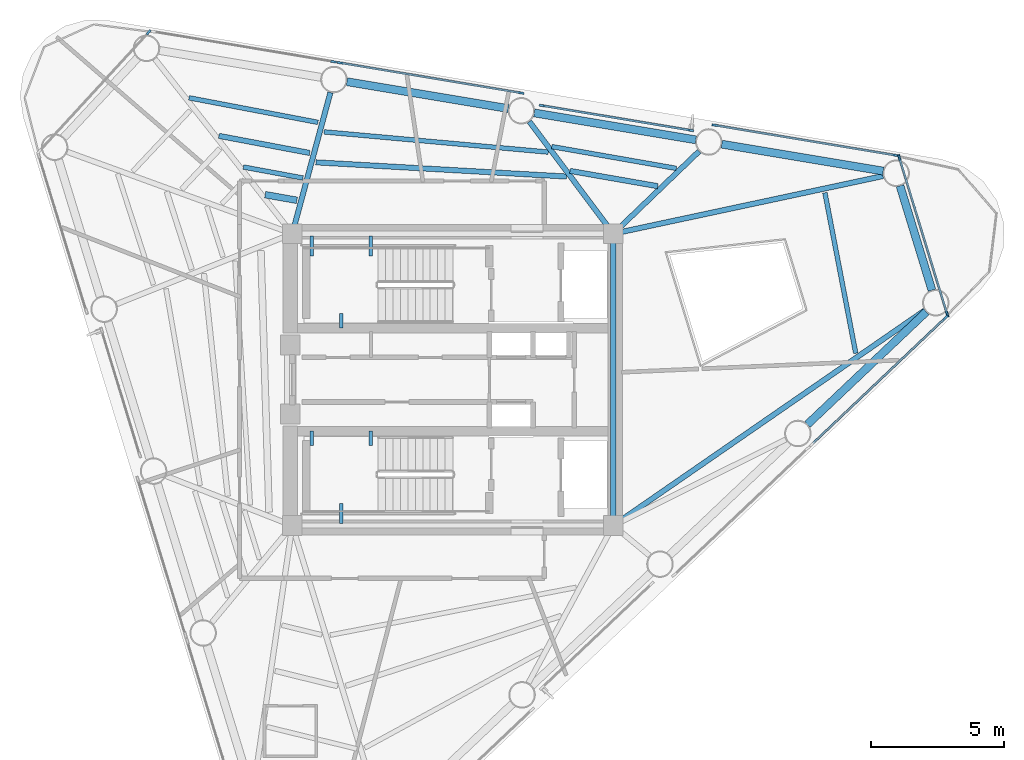
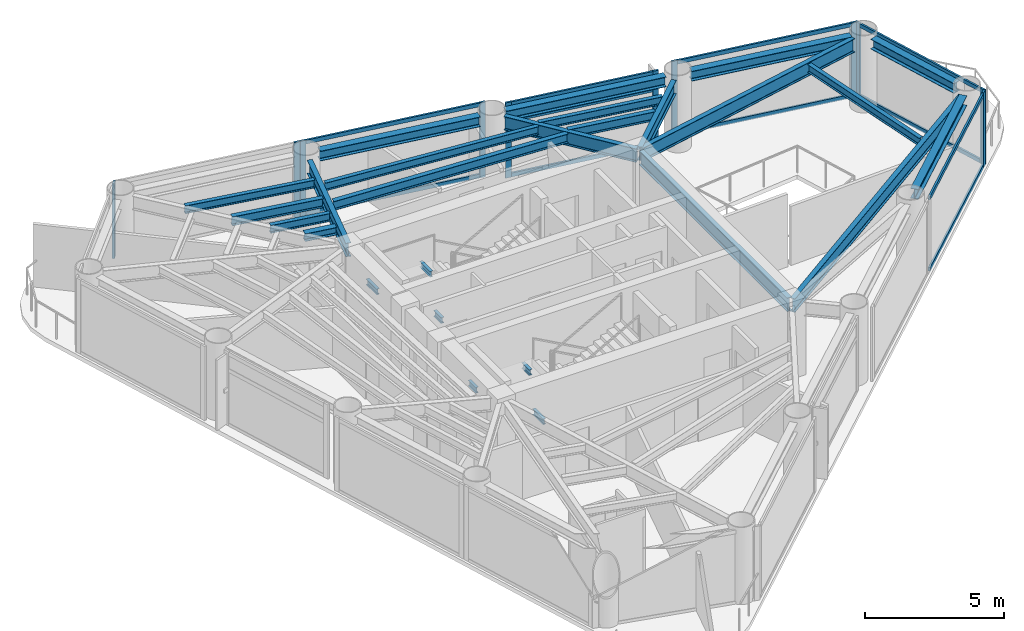
# One storey, part 3 of 8: 26 beams, 22 members, 7 elements without a shape of their own.
"""IFC4 building model written with IfcOpenShell, lengths in metres."""

from ifc_helpers import new_model, si_unit, direction, frame, origin, origin_2d, place, context, subcontext, project, spatial, rectangle, i_section, extrude, source, transform, mapped, material, layer, layer_set, material_profile, profile_set, type_object, element, aggregate, save


model = new_model("IFC4")

# Units and contexts
model_context = context("Model", 3, precision=1e-05, world=origin(), true_north=direction((0.0, 1.0)))
body_context = subcontext(model_context, "Body", "Model", "MODEL_VIEW")
ifc_project = project(units=[si_unit("LENGTHUNIT", "METRE"), si_unit("AREAUNIT", "SQUARE_METRE"), si_unit("VOLUMEUNIT", "CUBIC_METRE"), si_unit("PLANEANGLEUNIT", "RADIAN"), si_unit("MASSUNIT", "GRAM", prefix="KILO")], contexts=[model_context])

# Site, building, storey
site_placement = place(None, origin())
site = spatial("IfcSite", under=ifc_project, at=site_placement, CompositionType="ELEMENT")
building_placement = place(site_placement, origin())
building = spatial("IfcBuilding", under=site, at=building_placement, Name="Yunling Apex Tower", CompositionType="ELEMENT")
storey_placement = place(building_placement, frame((0.0, 0.0, 242.25)))
storey = spatial("IfcBuildingStorey", under=building, at=storey_placement, Name="L59", CompositionType="ELEMENT", Elevation=242.25)

# Beams
ifc_material_1 = material(Name="Steel Q355B", Category="steel")
ifc_material_profile_1 = material_profile(ifc_material_1, i_section(OverallWidth=0.125, OverallDepth=0.25, WebThickness=0.006103515625, FlangeThickness=0.009033203125, FilletRadius=0.011962890625, at=origin_2d()))
ifc_profile_set_1 = profile_set([ifc_material_profile_1], Name="Steel Q355B")
beam_type_1 = type_object("IfcBeamType", Name="BL-LNT-1", PredefinedType="LINTEL", material=ifc_profile_set_1)
shared_shape_1 = source(origin(), body_context, "Body", "SweptSolid", [
    extrude(i_section(OverallWidth=0.125, OverallDepth=0.25, WebThickness=0.006103515625, FlangeThickness=0.009033203125, FilletRadius=0.011962890625, at=origin_2d()), origin(), (0.0, 0.0, 1.0), 0.760009765625),
])
for number, where, z_axis, x_axis, name in (
    (1, (-5.320068359375, 5.419921875, 1.3798828125), (0.0, -1.0, 0.0), (1.0, 0.0, 0.0), "L59 ST-1 Landing Bearing Corbel 1-1"),
    (2, (-3.090087890625, 5.419921875, 1.3798828125), (0.0, -1.0, 0.0), (1.0, 0.0, 0.0), "L59 ST-1 Landing Bearing Corbel 1-2"),
    (3, (-4.205078125, -5.419921875, 1.3798828125), (0.0, 1.0, 0.0), (-1.0, 0.0, 0.0), "L59 ST-2 Landing Bearing Corbel 1-3"),
):
    element("IfcBeam", number, at=place(storey_placement, frame(where, z_axis=z_axis, x_axis=x_axis)), inside=storey, type_object=beam_type_1, Name=name, PredefinedType="LINTEL", context=body_context, shape_type="MappedRepresentation", body=[
        mapped(shared_shape_1, transform((0.0, 0.0, 0.0), scale=1.0)),
    ])
shared_shape_2 = source(origin(), body_context, "Body", "SweptSolid", [
    extrude(i_section(OverallWidth=0.125, OverallDepth=0.25, WebThickness=0.006103515625, FlangeThickness=0.009033203125, FilletRadius=0.011962890625, at=origin_2d()), origin(), (0.0, 0.0, 1.0), 0.550048828125),
])
for number, where, z_axis, x_axis, name in (
    (4, (-4.205078125, 1.93994140625, 1.3798828125), (0.0, 1.0, 0.0), (-1.0, 0.0, 0.0), "L59 ST-1 Landing Bearing Corbel 1-3"),
    (5, (-5.320068359375, -1.93994140625, 1.3798828125), (0.0, -1.0, 0.0), (1.0, 0.0, 0.0), "L59 ST-2 Landing Bearing Corbel 1-1"),
    (6, (-3.090087890625, -1.93994140625, 1.3798828125), (0.0, -1.0, 0.0), (1.0, 0.0, 0.0), "L59 ST-2 Landing Bearing Corbel 1-2"),
):
    element("IfcBeam", number, at=place(storey_placement, frame(where, z_axis=z_axis, x_axis=x_axis)), inside=storey, type_object=beam_type_1, Name=name, PredefinedType="LINTEL", context=body_context, shape_type="MappedRepresentation", body=[
        mapped(shared_shape_2, transform((0.0, 0.0, 0.0), scale=1.0)),
    ])
ifc_material_profile_2 = material_profile(ifc_material_1, i_section(OverallWidth=0.199951171875, OverallDepth=0.60009765625, WebThickness=0.010986328125, FlangeThickness=0.01708984375, FilletRadius=0.02197265625, at=origin_2d()))
ifc_profile_set_2 = profile_set([ifc_material_profile_2], Name="Steel Q355B")
beam_type_2 = type_object("IfcBeamType", Name="BG-PRI-5", PredefinedType="USERDEFINED", material=ifc_profile_set_2)
shared_shape_3 = source(origin(), body_context, "Body", "SweptSolid", [
    extrude(i_section(OverallWidth=0.199951171875, OverallDepth=0.60009765625, WebThickness=0.010986328125, FlangeThickness=0.01708984375, FilletRadius=0.02197265625, at=origin_2d()), origin(), (0.0, 0.0, 1.0), 10.7001953125),
])
beam_1_placement = place(storey_placement, frame((6.050048828125, -5.35009765625, 2.919921875), z_axis=(0.0, 1.0, 0.0), x_axis=(-1.0, 0.0, 0.0)))
element("IfcBeam", 7, at=beam_1_placement, inside=storey, type_object=beam_type_2, Name="L59 Core Ring Tie Beam 2", ObjectType="GIRDER", PredefinedType="USERDEFINED", context=body_context, shape_type="MappedRepresentation", body=[
    mapped(shared_shape_3, transform((0.0, 0.0, 0.0), scale=1.0)),
])
ifc_material_profile_3 = material_profile(ifc_material_1, i_section(OverallWidth=0.175048828125, OverallDepth=0.35009765625, WebThickness=0.007080078125, FlangeThickness=0.010986328125, FilletRadius=0.013916015625, at=origin_2d()))
ifc_profile_set_3 = profile_set([ifc_material_profile_3], Name="Steel Q355B")
beam_type_3 = type_object("IfcBeamType", Name="BJ-JST-1", PredefinedType="JOIST", material=ifc_profile_set_3)
shared_shape_4 = source(origin(), body_context, "Body", "SweptSolid", [
    extrude(i_section(OverallWidth=0.175048828125, OverallDepth=0.35009765625, WebThickness=0.007080078125, FlangeThickness=0.010986328125, FilletRadius=0.013916015625, at=origin_2d()), origin(), (0.0, 0.0, 1.0), 4.765869140625),
])
beam_2_placement = place(storey_placement, frame((8.42578125, 7.96142578125, 3.044921875), z_axis=(-0.985022420296, 0.17242630749, 0.0), x_axis=(-0.17242630749, -0.985022420296, 0.0)))
element("IfcBeam", 8, at=beam_2_placement, inside=storey, type_object=beam_type_3, Name="L59 Composite Floor Joist BJ1-7", PredefinedType="JOIST", context=body_context, shape_type="MappedRepresentation", body=[
    mapped(shared_shape_4, transform((0.0, 0.0, 0.0), scale=1.0)),
])
ifc_material_profile_4 = material_profile(ifc_material_1, i_section(OverallWidth=0.300048828125, OverallDepth=0.43994140625, WebThickness=0.010986328125, FlangeThickness=0.01806640625, FilletRadius=0.02197265625, at=origin_2d()))
ifc_profile_set_4 = profile_set([ifc_material_profile_4], Name="Steel Q355B")
beam_type_4 = type_object("IfcBeamType", Name="BP-SPN-3", PredefinedType="SPANDREL", material=ifc_profile_set_4)
shared_shape_5 = source(origin(), body_context, "Body", "SweptSolid", [
    extrude(i_section(OverallWidth=0.300048828125, OverallDepth=0.43994140625, WebThickness=0.010986328125, FlangeThickness=0.01806640625, FilletRadius=0.02197265625, at=origin_2d()), origin(), (0.0, 0.0, 1.0), 6.17333984375),
])
for number, where, z_axis, x_axis, name in (
    (9, (13.36572265625, -1.690185546875, 3.0), (0.725853952128, 0.687848849807, 0.0), (-0.687848849807, 0.725853952128, 0.0), "L59 Perimeter Spandrel Beam 4"),
    (10, (16.224853515625, 7.860595703125, 3.0), (-0.986400336233, 0.164360508275, 0.0), (-0.164360508275, -0.986400336233, 0.0), "L59 Perimeter Spandrel Beam 6"),
    (11, (9.160888671875, 9.03759765625, 3.0), (-0.986400336233, 0.164360508275, 0.0), (-0.164360508275, -0.986400336233, 0.0), "L59 Perimeter Spandrel Beam 7"),
    (12, (2.096923828125, 10.214599609375, 3.0), (-0.986393923832, 0.164398987305, 0.0), (-0.164398987305, -0.986393923832, 0.0), "L59 Perimeter Spandrel Beam 8"),
):
    element("IfcBeam", number, at=place(storey_placement, frame(where, z_axis=z_axis, x_axis=x_axis)), inside=storey, type_object=beam_type_4, Name=name, PredefinedType="SPANDREL", context=body_context, shape_type="MappedRepresentation", body=[
        mapped(shared_shape_5, transform((0.0, 0.0, 0.0), scale=1.0)),
    ])
shared_shape_6 = source(origin(), body_context, "Body", "SweptSolid", [
    extrude(i_section(OverallWidth=0.300048828125, OverallDepth=0.43994140625, WebThickness=0.010986328125, FlangeThickness=0.01806640625, FilletRadius=0.02197265625, at=origin_2d()), origin(), (0.0, 0.0, 1.0), 4.118408203125),
])
beam_3_placement = place(storey_placement, frame((18.060791015625, 3.368408203125, 3.0), z_axis=(-0.292369137572, 0.956305540816, 0.0), x_axis=(-0.956305540816, -0.292369137572, 0.0)))
element("IfcBeam", 13, at=beam_3_placement, inside=storey, type_object=beam_type_4, Name="L59 Perimeter Spandrel Beam 5", PredefinedType="SPANDREL", context=body_context, shape_type="MappedRepresentation", body=[
    mapped(shared_shape_6, transform((0.0, 0.0, 0.0), scale=1.0)),
])
shared_shape_7 = source(origin(), body_context, "Body", "SweptSolid", [
    extrude(i_section(OverallWidth=0.199951171875, OverallDepth=0.60009765625, WebThickness=0.010986328125, FlangeThickness=0.01708984375, FilletRadius=0.02197265625, at=origin_2d()), origin(), (0.0, 0.0, 1.0), 14.18505859375),
])
beam_4_placement = place(storey_placement, frame((17.787353515625, 2.607177734375, 2.919921875), z_axis=(-0.822805113414, -0.568323627294, 0.0), x_axis=(0.568323627294, -0.822805113414, 0.0)))
element("IfcBeam", 14, at=beam_4_placement, inside=storey, type_object=beam_type_2, Name="L59 Radial Primary Girder R05", ObjectType="GIRDER", PredefinedType="USERDEFINED", context=body_context, shape_type="MappedRepresentation", body=[
    mapped(shared_shape_7, transform((0.0, 0.0, 0.0), scale=1.0)),
])
shared_shape_8 = source(origin(), body_context, "Body", "SweptSolid", [
    extrude(i_section(OverallWidth=0.199951171875, OverallDepth=0.60009765625, WebThickness=0.010986328125, FlangeThickness=0.01708984375, FilletRadius=0.02197265625, at=origin_2d()), origin(), (0.0, 0.0, 1.0), 10.315185546875),
])
beam_5_placement = place(storey_placement, frame((16.21533203125, 7.673095703125, 2.919921875), z_axis=(-0.977902402009, -0.209061933755, 0.0), x_axis=(0.209061933755, -0.977902402009, 0.0)))
element("IfcBeam", 15, at=beam_5_placement, inside=storey, type_object=beam_type_2, Name="L59 Radial Primary Girder R06", ObjectType="GIRDER", PredefinedType="USERDEFINED", context=body_context, shape_type="MappedRepresentation", body=[
    mapped(shared_shape_8, transform((0.0, 0.0, 0.0), scale=1.0)),
])
shared_shape_9 = source(origin(), body_context, "Body", "SweptSolid", [
    extrude(i_section(OverallWidth=0.199951171875, OverallDepth=0.60009765625, WebThickness=0.010986328125, FlangeThickness=0.01708984375, FilletRadius=0.02197265625, at=origin_2d()), origin(), (0.0, 0.0, 1.0), 4.4013671875),
])
beam_6_placement = place(storey_placement, frame((9.28173828125, 8.6044921875, 2.919921875), z_axis=(-0.721164480273, -0.69276387925, 0.0), x_axis=(0.69276387925, -0.721164480273, 0.0)))
element("IfcBeam", 16, at=beam_6_placement, inside=storey, type_object=beam_type_2, Name="L59 Radial Primary Girder R07", ObjectType="GIRDER", PredefinedType="USERDEFINED", context=body_context, shape_type="MappedRepresentation", body=[
    mapped(shared_shape_9, transform((0.0, 0.0, 0.0), scale=1.0)),
])
shared_shape_10 = source(origin(), body_context, "Body", "SweptSolid", [
    extrude(i_section(OverallWidth=0.199951171875, OverallDepth=0.60009765625, WebThickness=0.010986328125, FlangeThickness=0.01708984375, FilletRadius=0.02197265625, at=origin_2d()), origin(), (0.0, 0.0, 1.0), 5.1982421875),
])
beam_7_placement = place(storey_placement, frame((2.888427734375, 9.726806640625, 2.919921875), z_axis=(0.598992593476, -0.800754564746, 0.0), x_axis=(0.800754564746, 0.598992593476, 0.0)))
element("IfcBeam", 17, at=beam_7_placement, inside=storey, type_object=beam_type_2, Name="L59 Radial Primary Girder R08", ObjectType="GIRDER", PredefinedType="USERDEFINED", context=body_context, shape_type="MappedRepresentation", body=[
    mapped(shared_shape_10, transform((0.0, 0.0, 0.0), scale=1.0)),
])
shared_shape_11 = source(origin(), body_context, "Body", "SweptSolid", [
    extrude(i_section(OverallWidth=0.199951171875, OverallDepth=0.60009765625, WebThickness=0.010986328125, FlangeThickness=0.01708984375, FilletRadius=0.02197265625, at=origin_2d()), origin(), (0.0, 0.0, 1.0), 5.43115234375),
])
beam_8_placement = place(storey_placement, frame((-4.6123046875, 10.8203125, 2.919921875), z_axis=(-0.26085354679, -0.965378385467, 0.0), x_axis=(0.965378385467, -0.26085354679, 0.0)))
element("IfcBeam", 18, at=beam_8_placement, inside=storey, type_object=beam_type_2, Name="L59 Radial Primary Girder R09", ObjectType="GIRDER", PredefinedType="USERDEFINED", context=body_context, shape_type="MappedRepresentation", body=[
    mapped(shared_shape_11, transform((0.0, 0.0, 0.0), scale=1.0)),
])
shared_shape_12 = source(origin(), body_context, "Body", "SweptSolid", [
    extrude(i_section(OverallWidth=0.175048828125, OverallDepth=0.35009765625, WebThickness=0.007080078125, FlangeThickness=0.010986328125, FilletRadius=0.013916015625, at=origin_2d()), origin(), (0.0, 0.0, 1.0), 6.16162109375),
])
beam_9_placement = place(storey_placement, frame((15.189453125, 0.99072265625, 3.044921875), z_axis=(-0.188765094227, 0.982022270217, 0.0), x_axis=(-0.982022270217, -0.188765094227, 0.0)))
element("IfcBeam", 19, at=beam_9_placement, inside=storey, type_object=beam_type_3, Name="L59 Composite Floor Joist BJ1-5", PredefinedType="JOIST", context=body_context, shape_type="MappedRepresentation", body=[
    mapped(shared_shape_12, transform((0.0, 0.0, 0.0), scale=1.0)),
])
ifc_material_profile_5 = material_profile(ifc_material_1, i_section(OverallWidth=0.199951171875, OverallDepth=0.39990234375, WebThickness=0.008056640625, FlangeThickness=0.012939453125, FilletRadius=0.01611328125, at=origin_2d()))
ifc_profile_set_5 = profile_set([ifc_material_profile_5], Name="Steel Q355B")
beam_type_5 = type_object("IfcBeamType", Name="BS-SEC-4", PredefinedType="BEAM", material=ifc_profile_set_5)
shared_shape_13 = source(origin(), body_context, "Body", "SweptSolid", [
    extrude(i_section(OverallWidth=0.199951171875, OverallDepth=0.39990234375, WebThickness=0.008056640625, FlangeThickness=0.012939453125, FilletRadius=0.01611328125, at=origin_2d()), origin(), (0.0, 0.0, 1.0), 3.361572265625),
])
beam_10_placement = place(storey_placement, frame((7.7275390625, 7.290283203125, 3.02001953125), z_axis=(-0.985137567958, 0.171767203496, 0.0), x_axis=(-0.171767203496, -0.985137567958, 0.0)))
element("IfcBeam", 20, at=beam_10_placement, inside=storey, type_object=beam_type_5, Name="L59 Composite Floor Beam BS-7", PredefinedType="BEAM", context=body_context, shape_type="MappedRepresentation", body=[
    mapped(shared_shape_13, transform((0.0, 0.0, 0.0), scale=1.0)),
])
shared_shape_14 = source(origin(), body_context, "Body", "SweptSolid", [
    extrude(i_section(OverallWidth=0.199951171875, OverallDepth=0.39990234375, WebThickness=0.008056640625, FlangeThickness=0.012939453125, FilletRadius=0.01611328125, at=origin_2d()), origin(), (0.0, 0.0, 1.0), 9.461669921875),
])
beam_11_placement = place(storey_placement, frame((4.28564453125, 7.654541015625, 3.02001953125), z_axis=(-0.998399180074, 0.05656038567, 0.0), x_axis=(-0.05656038567, -0.998399180074, 0.0)))
element("IfcBeam", 21, at=beam_11_placement, inside=storey, type_object=beam_type_5, Name="L59 Composite Floor Beam BS-8", PredefinedType="BEAM", context=body_context, shape_type="MappedRepresentation", body=[
    mapped(shared_shape_14, transform((0.0, 0.0, 0.0), scale=1.0)),
])
shared_shape_15 = source(origin(), body_context, "Body", "SweptSolid", [
    extrude(i_section(OverallWidth=0.175048828125, OverallDepth=0.35009765625, WebThickness=0.007080078125, FlangeThickness=0.010986328125, FilletRadius=0.013916015625, at=origin_2d()), origin(), (0.0, 0.0, 1.0), 8.485107421875),
])
beam_12_placement = place(storey_placement, frame((3.60107421875, 8.575439453125, 3.044921875), z_axis=(-0.995954531999, 0.089858612221, 0.0), x_axis=(-0.089858612221, -0.995954531999, 0.0)))
element("IfcBeam", 22, at=beam_12_placement, inside=storey, type_object=beam_type_3, Name="L59 Composite Floor Joist BJ1-8", PredefinedType="JOIST", context=body_context, shape_type="MappedRepresentation", body=[
    mapped(shared_shape_15, transform((0.0, 0.0, 0.0), scale=1.0)),
])
shared_shape_16 = source(origin(), body_context, "Body", "SweptSolid", [
    extrude(i_section(OverallWidth=0.199951171875, OverallDepth=0.39990234375, WebThickness=0.008056640625, FlangeThickness=0.012939453125, FilletRadius=0.01611328125, at=origin_2d()), origin(), (0.0, 0.0, 1.0), 3.482421875),
])
beam_13_placement = place(storey_placement, frame((-5.392822265625, 8.54296875, 3.02001953125), z_axis=(-0.98272425545, 0.185075762191, 0.0), x_axis=(-0.185075762191, -0.98272425545, 0.0)))
element("IfcBeam", 23, at=beam_13_placement, inside=storey, type_object=beam_type_5, Name="L59 Composite Floor Beam BS-9", PredefinedType="BEAM", context=body_context, shape_type="MappedRepresentation", body=[
    mapped(shared_shape_16, transform((0.0, 0.0, 0.0), scale=1.0)),
])
shared_shape_17 = source(origin(), body_context, "Body", "SweptSolid", [
    extrude(i_section(OverallWidth=0.175048828125, OverallDepth=0.35009765625, WebThickness=0.007080078125, FlangeThickness=0.010986328125, FilletRadius=0.013916015625, at=origin_2d()), origin(), (0.0, 0.0, 1.0), 4.949951171875),
])
beam_14_placement = place(storey_placement, frame((-5.081298828125, 9.69677734375, 3.044921875), z_axis=(-0.982345041362, 0.187078111256, 0.0), x_axis=(-0.187078111256, -0.982345041362, 0.0)))
element("IfcBeam", 24, at=beam_14_placement, inside=storey, type_object=beam_type_3, Name="L59 Composite Floor Joist BJ1-9", PredefinedType="JOIST", context=body_context, shape_type="MappedRepresentation", body=[
    mapped(shared_shape_17, transform((0.0, 0.0, 0.0), scale=1.0)),
])
shared_shape_18 = source(origin(), body_context, "Body", "SweptSolid", [
    extrude(i_section(OverallWidth=0.175048828125, OverallDepth=0.35009765625, WebThickness=0.007080078125, FlangeThickness=0.010986328125, FilletRadius=0.013916015625, at=origin_2d()), origin(), (0.0, 0.0, 1.0), 2.28173828125),
])
beam_15_placement = place(storey_placement, frame((-5.64794921875, 7.5986328125, 3.044921875), z_axis=(-0.983336596367, 0.181794219503, 0.0), x_axis=(-0.181794219503, -0.983336596367, 0.0)))
element("IfcBeam", 25, at=beam_15_placement, inside=storey, type_object=beam_type_3, Name="L59 Composite Floor Joist BJ3-9", PredefinedType="JOIST", context=body_context, shape_type="MappedRepresentation", body=[
    mapped(shared_shape_18, transform((0.0, 0.0, 0.0), scale=1.0)),
])
ifc_material_profile_6 = material_profile(ifc_material_1, i_section(OverallWidth=0.25, OverallDepth=0.340087890625, WebThickness=0.009033203125, FlangeThickness=0.013916015625, FilletRadius=0.01806640625, at=origin_2d()))
ifc_profile_set_6 = profile_set([ifc_material_profile_6], Name="Steel Q355B")
beam_type_6 = type_object("IfcBeamType", Name="BJ-JST-2", PredefinedType="JOIST", material=ifc_profile_set_6)
shared_shape_19 = source(origin(), body_context, "Body", "SweptSolid", [
    extrude(i_section(OverallWidth=0.25, OverallDepth=0.340087890625, WebThickness=0.009033203125, FlangeThickness=0.013916015625, FilletRadius=0.01806640625, at=origin_2d()), origin(), (0.0, 0.0, 1.0), 1.214111328125),
])
beam_16_placement = place(storey_placement, frame((-5.875, 6.758544921875, 3.050048828125), z_axis=(-0.98465170233, 0.174530871477, 0.0), x_axis=(-0.174530871477, -0.98465170233, 0.0)))
element("IfcBeam", 26, at=beam_16_placement, inside=storey, type_object=beam_type_6, Name="L59 Composite Floor Joist BJ2-9", PredefinedType="JOIST", context=body_context, shape_type="MappedRepresentation", body=[
    mapped(shared_shape_19, transform((0.0, 0.0, 0.0), scale=1.0)),
])

# Curtain wall, members
ifc_material_2 = material(Name="Bronze anodised aluminium", Category="aluminium")
ifc_layer = layer(ifc_material_2, 0.219970703125)
ifc_layer_set = layer_set([ifc_layer], Name="Bronze anodised aluminium")
curtain_wall_type = type_object("IfcCurtainWallType", Name="CW-SYS-4", PredefinedType="NOTDEFINED", material=ifc_layer_set)
curtain_wall_1_placement = place(storey_placement, origin())
curtain_wall_1 = element("IfcCurtainWall", 27, at=curtain_wall_1_placement, inside=storey, type_object=curtain_wall_type, Name="CW-L59-F1-B4", PredefinedType="NOTDEFINED")
ifc_material_profile_7 = material_profile(ifc_material_2, rectangle(XDim=0.080078125, YDim=0.169921875, at=origin_2d()))
ifc_profile_set_7 = profile_set([ifc_material_profile_7], Name="Bronze anodised aluminium")
member_type_1 = type_object("IfcMemberType", Name="CW-TRN-4", PredefinedType="USERDEFINED", material=ifc_profile_set_7)
shared_shape_20 = source(origin(), body_context, "Body", "SweptSolid", [
    extrude(rectangle(XDim=0.080078125, YDim=0.169921875, at=origin_2d()), origin(), (0.0, 0.0, 1.0), 6.849365234375),
])
member_1_placement = place(storey_placement, frame((13.574462890625, -2.40185546875, 0.0400390625), z_axis=(0.725849647065, 0.687853392705, 0.0), x_axis=(-0.687853392705, 0.725849647065, 0.0)))
member_1 = element("IfcMember", 28, at=member_1_placement, type_object=member_type_1, Name="CW-SYS-4 transom 1.1", ObjectType="TRANSOM", PredefinedType="USERDEFINED", context=body_context, shape_type="MappedRepresentation", body=[
    mapped(shared_shape_20, transform((0.0, 0.0, 0.0), scale=1.0)),
])
member_2_placement = place(storey_placement, frame((13.574462890625, -2.40185546875, 3.179931640625), z_axis=(0.725849647065, 0.687853392705, 0.0), x_axis=(-0.687853392705, 0.725849647065, 0.0)))
member_2 = element("IfcMember", 29, at=member_2_placement, type_object=member_type_1, Name="CW-SYS-4 transom 1.2", ObjectType="TRANSOM", PredefinedType="USERDEFINED", context=body_context, shape_type="MappedRepresentation", body=[
    mapped(shared_shape_20, transform((0.0, 0.0, 0.0), scale=1.0)),
])

curtain_wall_2_placement = place(storey_placement, origin())
curtain_wall_2 = element("IfcCurtainWall", 30, at=curtain_wall_2_placement, inside=storey, type_object=curtain_wall_type, Name="CW-L59-F2-B1", PredefinedType="NOTDEFINED")
member_3_placement = place(storey_placement, frame((16.666748046875, 8.456298828125, 0.0400390625), z_axis=(-0.986400666628, 0.164358525415, 0.0), x_axis=(-0.164358525415, -0.986400666628, 0.0)))
member_3 = element("IfcMember", 31, at=member_3_placement, type_object=member_type_1, Name="CW-SYS-4 transom 1.1", ObjectType="TRANSOM", PredefinedType="USERDEFINED", context=body_context, shape_type="MappedRepresentation", body=[
    mapped(shared_shape_20, transform((0.0, 0.0, 0.0), scale=1.0)),
])
member_4_placement = place(storey_placement, frame((16.666748046875, 8.456298828125, 3.179931640625), z_axis=(-0.986400666628, 0.164358525415, 0.0), x_axis=(-0.164358525415, -0.986400666628, 0.0)))
member_4 = element("IfcMember", 32, at=member_4_placement, type_object=member_type_1, Name="CW-SYS-4 transom 1.2", ObjectType="TRANSOM", PredefinedType="USERDEFINED", context=body_context, shape_type="MappedRepresentation", body=[
    mapped(shared_shape_20, transform((0.0, 0.0, 0.0), scale=1.0)),
])

curtain_wall_3_placement = place(storey_placement, origin())
curtain_wall_3 = element("IfcCurtainWall", 33, at=curtain_wall_3_placement, inside=storey, type_object=curtain_wall_type, Name="CW-L59-CRN1", PredefinedType="NOTDEFINED")
shared_shape_21 = source(origin(), body_context, "Body", "SweptSolid", [
    extrude(rectangle(XDim=0.080078125, YDim=0.169921875, at=origin_2d()), origin(), (0.0, 0.0, 1.0), 6.100830078125),
])
member_5_placement = place(storey_placement, frame((18.623291015625, 2.50390625, 0.0400390625), z_axis=(-0.292370017789, 0.956305271709, 0.0), x_axis=(-0.956305271709, -0.292370017789, 0.0)))
member_5 = element("IfcMember", 34, at=member_5_placement, type_object=member_type_1, Name="CW-SYS-4 transom 1.1", ObjectType="TRANSOM", PredefinedType="USERDEFINED", context=body_context, shape_type="MappedRepresentation", body=[
    mapped(shared_shape_21, transform((0.0, 0.0, 0.0), scale=1.0)),
])
member_6_placement = place(storey_placement, frame((18.623291015625, 2.50390625, 3.179931640625), z_axis=(-0.292370017789, 0.956305271709, 0.0), x_axis=(-0.956305271709, -0.292370017789, 0.0)))
member_6 = element("IfcMember", 35, at=member_6_placement, type_object=member_type_1, Name="CW-SYS-4 transom 1.2", ObjectType="TRANSOM", PredefinedType="USERDEFINED", context=body_context, shape_type="MappedRepresentation", body=[
    mapped(shared_shape_21, transform((0.0, 0.0, 0.0), scale=1.0)),
])

curtain_wall_4_placement = place(storey_placement, origin())
curtain_wall_4 = element("IfcCurtainWall", 36, at=curtain_wall_4_placement, inside=storey, type_object=curtain_wall_type, Name="CW-L59-F2-B2", PredefinedType="NOTDEFINED")
shared_shape_22 = source(origin(), body_context, "Body", "SweptSolid", [
    extrude(rectangle(XDim=0.080078125, YDim=0.169921875, at=origin_2d()), origin(), (0.0, 0.0, 1.0), 5.609375),
])
member_7_placement = place(storey_placement, frame((8.935302734375, 9.399658203125, 0.0400390625), z_axis=(-0.986395100144, 0.164391929279, 0.0), x_axis=(-0.164391929279, -0.986395100144, 0.0)))
member_7 = element("IfcMember", 37, at=member_7_placement, type_object=member_type_1, Name="CW-SYS-4 transom 1.1", ObjectType="TRANSOM", PredefinedType="USERDEFINED", context=body_context, shape_type="MappedRepresentation", body=[
    mapped(shared_shape_22, transform((0.0, 0.0, 0.0), scale=1.0)),
])
member_8_placement = place(storey_placement, frame((8.935302734375, 9.399658203125, 2.447265625), z_axis=(-0.986395100144, 0.164391929279, 0.0), x_axis=(-0.164391929279, -0.986395100144, 0.0)))
member_8 = element("IfcMember", 38, at=member_8_placement, type_object=member_type_1, Name="CW-SYS-4 transom 1.2", ObjectType="TRANSOM", PredefinedType="USERDEFINED", context=body_context, shape_type="MappedRepresentation", body=[
    mapped(shared_shape_22, transform((0.0, 0.0, 0.0), scale=1.0)),
])
member_9_placement = place(storey_placement, frame((8.935302734375, 9.399658203125, 3.179931640625), z_axis=(-0.986395100144, 0.164391929279, 0.0), x_axis=(-0.164391929279, -0.986395100144, 0.0)))
member_9 = element("IfcMember", 39, at=member_9_placement, type_object=member_type_1, Name="CW-SYS-4 transom 1.3", ObjectType="TRANSOM", PredefinedType="USERDEFINED", context=body_context, shape_type="MappedRepresentation", body=[
    mapped(shared_shape_22, transform((0.0, 0.0, 0.0), scale=1.0)),
])

curtain_wall_5_placement = place(storey_placement, origin())
curtain_wall_5 = element("IfcCurtainWall", 40, at=curtain_wall_5_placement, inside=storey, type_object=curtain_wall_type, Name="CW-L59-F2-B3", PredefinedType="NOTDEFINED")
shared_shape_23 = source(origin(), body_context, "Body", "SweptSolid", [
    extrude(rectangle(XDim=0.080078125, YDim=0.169921875, at=origin_2d()), origin(), (0.0, 0.0, 1.0), 6.849609375),
])
member_10_placement = place(storey_placement, frame((2.538818359375, 10.810302734375, 0.0400390625), z_axis=(-0.986401629478, 0.164352746749, 0.0), x_axis=(-0.164352746749, -0.986401629478, 0.0)))
member_10 = element("IfcMember", 41, at=member_10_placement, type_object=member_type_1, Name="CW-SYS-4 transom 1.1", ObjectType="TRANSOM", PredefinedType="USERDEFINED", context=body_context, shape_type="MappedRepresentation", body=[
    mapped(shared_shape_23, transform((0.0, 0.0, 0.0), scale=1.0)),
])
member_11_placement = place(storey_placement, frame((2.538818359375, 10.810302734375, 3.179931640625), z_axis=(-0.986401629478, 0.164352746749, 0.0), x_axis=(-0.164352746749, -0.986401629478, 0.0)))
member_11 = element("IfcMember", 42, at=member_11_placement, type_object=member_type_1, Name="CW-SYS-4 transom 1.2", ObjectType="TRANSOM", PredefinedType="USERDEFINED", context=body_context, shape_type="MappedRepresentation", body=[
    mapped(shared_shape_23, transform((0.0, 0.0, 0.0), scale=1.0)),
])

# Member
ifc_material_profile_8 = material_profile(ifc_material_2, rectangle(XDim=0.080078125, YDim=0.219970703125, at=origin_2d()))
ifc_profile_set_8 = profile_set([ifc_material_profile_8], Name="Bronze anodised aluminium")
member_type_2 = type_object("IfcMemberType", Name="CW-MUL-4", PredefinedType="MULLION", material=ifc_profile_set_8)
shared_shape_24 = source(origin(), body_context, "Body", "SweptSolid", [
    extrude(rectangle(XDim=0.080078125, YDim=0.219970703125, at=origin_2d()), origin(), (0.0, 0.0, 1.0), 3.320068359375),
])
member_12_placement = place(storey_placement, frame((18.572265625, 2.334228515625, -0.050048828125), z_axis=(0.0, 0.0, 1.0), x_axis=(-0.687848040467, 0.72585471909, 0.0)))
member_12 = element("IfcMember", 43, at=member_12_placement, type_object=member_type_2, Name="CW-SYS-4 mullion 2", PredefinedType="MULLION", context=body_context, shape_type="MappedRepresentation", body=[
    mapped(shared_shape_24, transform((0.0, 0.0, 0.0), scale=1.0)),
])

aggregate(curtain_wall_1, [member_12, member_1, member_2])

member_13_placement = place(storey_placement, frame((18.6337890625, 2.469482421875, -0.050048828125), z_axis=(0.0, 0.0, 1.0), x_axis=(-0.956305498685, -0.292369275379, 0.0)))
member_13 = element("IfcMember", 44, at=member_13_placement, type_object=member_type_2, Name="CW-SYS-4 mullion 1", PredefinedType="MULLION", context=body_context, shape_type="MappedRepresentation", body=[
    mapped(shared_shape_24, transform((0.0, 0.0, 0.0), scale=1.0)),
])

member_14_placement = place(storey_placement, frame((16.8291015625, 8.37255859375, -0.050048828125), z_axis=(0.0, 0.0, 1.0), x_axis=(-0.956305498685, -0.292369275379, 0.0)))
member_14 = element("IfcMember", 45, at=member_14_placement, type_object=member_type_2, Name="CW-SYS-4 mullion 2", PredefinedType="MULLION", context=body_context, shape_type="MappedRepresentation", body=[
    mapped(shared_shape_24, transform((0.0, 0.0, 0.0), scale=1.0)),
])

aggregate(curtain_wall_3, [member_13, member_14, member_5, member_6])

member_15_placement = place(storey_placement, frame((16.702392578125, 8.4501953125, -0.050048828125), z_axis=(0.0, 0.0, 1.0), x_axis=(-0.164352664392, -0.9864016432, 0.0)))
member_15 = element("IfcMember", 46, at=member_15_placement, type_object=member_type_2, Name="CW-SYS-4 mullion 1", PredefinedType="MULLION", context=body_context, shape_type="MappedRepresentation", body=[
    mapped(shared_shape_24, transform((0.0, 0.0, 0.0), scale=1.0)),
])

member_16_placement = place(storey_placement, frame((9.875, 9.587890625, -0.050048828125), z_axis=(0.0, 0.0, 1.0), x_axis=(-0.164352664392, -0.9864016432, 0.0)))
member_16 = element("IfcMember", 47, at=member_16_placement, type_object=member_type_2, Name="CW-SYS-4 mullion 2", PredefinedType="MULLION", context=body_context, shape_type="MappedRepresentation", body=[
    mapped(shared_shape_24, transform((0.0, 0.0, 0.0), scale=1.0)),
])

aggregate(curtain_wall_2, [member_15, member_16, member_3, member_4])

member_17_placement = place(storey_placement, frame((8.970947265625, 9.393798828125, -0.050048828125), z_axis=(0.0, 0.0, 1.0), x_axis=(-0.164370840747, -0.986398614513, 0.0)))
member_17 = element("IfcMember", 48, at=member_17_placement, type_object=member_type_2, Name="CW-SYS-4 mullion 1", PredefinedType="MULLION", context=body_context, shape_type="MappedRepresentation", body=[
    mapped(shared_shape_24, transform((0.0, 0.0, 0.0), scale=1.0)),
])

member_18_placement = place(storey_placement, frame((3.36669921875, 10.32763671875, -0.050048828125), z_axis=(0.0, 0.0, 1.0), x_axis=(-0.164370840747, -0.986398614513, 0.0)))
member_18 = element("IfcMember", 49, at=member_18_placement, type_object=member_type_2, Name="CW-SYS-4 mullion 2", PredefinedType="MULLION", context=body_context, shape_type="MappedRepresentation", body=[
    mapped(shared_shape_24, transform((0.0, 0.0, 0.0), scale=1.0)),
])

aggregate(curtain_wall_4, [member_17, member_18, member_7, member_8, member_9])

member_19_placement = place(storey_placement, frame((2.574462890625, 10.804443359375, -0.050048828125), z_axis=(0.0, 0.0, 1.0), x_axis=(-0.164352664392, -0.9864016432, 0.0)))
member_19 = element("IfcMember", 50, at=member_19_placement, type_object=member_type_2, Name="CW-SYS-4 mullion 1", PredefinedType="MULLION", context=body_context, shape_type="MappedRepresentation", body=[
    mapped(shared_shape_24, transform((0.0, 0.0, 0.0), scale=1.0)),
])

member_20_placement = place(storey_placement, frame((-4.2529296875, 11.94189453125, -0.050048828125), z_axis=(0.0, 0.0, 1.0), x_axis=(-0.164352664392, -0.9864016432, 0.0)))
member_20 = element("IfcMember", 51, at=member_20_placement, type_object=member_type_2, Name="CW-SYS-4 mullion 2", PredefinedType="MULLION", context=body_context, shape_type="MappedRepresentation", body=[
    mapped(shared_shape_24, transform((0.0, 0.0, 0.0), scale=1.0)),
])

aggregate(curtain_wall_5, [member_19, member_20, member_10, member_11])

# Curtain wall, member
curtain_wall_6_placement = place(storey_placement, origin())
curtain_wall_6 = element("IfcCurtainWall", 52, at=curtain_wall_6_placement, inside=storey, type_object=curtain_wall_type, Name="CW-L59-F2-B4", PredefinedType="NOTDEFINED")
member_21_placement = place(storey_placement, frame((-4.48974609375, 11.9814453125, -0.050048828125), z_axis=(0.0, 0.0, 1.0), x_axis=(-0.164352664392, -0.9864016432, 0.0)))
member_21 = element("IfcMember", 53, at=member_21_placement, type_object=member_type_2, Name="CW-SYS-4 mullion 1", PredefinedType="MULLION", context=body_context, shape_type="MappedRepresentation", body=[
    mapped(shared_shape_24, transform((0.0, 0.0, 0.0), scale=1.0)),
])
aggregate(curtain_wall_6, [member_21])

curtain_wall_7_placement = place(storey_placement, origin())
curtain_wall_7 = element("IfcCurtainWall", 54, at=curtain_wall_7_placement, inside=storey, type_object=curtain_wall_type, Name="CW-L59-CRN2", PredefinedType="NOTDEFINED")
member_22_placement = place(storey_placement, frame((-11.465576171875, 13.08935546875, -0.050048828125), z_axis=(0.0, 0.0, 1.0), x_axis=(0.736133922549, -0.676835909266, 0.0)))
member_22 = element("IfcMember", 55, at=member_22_placement, type_object=member_type_2, Name="CW-SYS-4 mullion 1", PredefinedType="MULLION", context=body_context, shape_type="MappedRepresentation", body=[
    mapped(shared_shape_24, transform((0.0, 0.0, 0.0), scale=1.0)),
])
aggregate(curtain_wall_7, [member_22])

save(model, "model.ifc")
